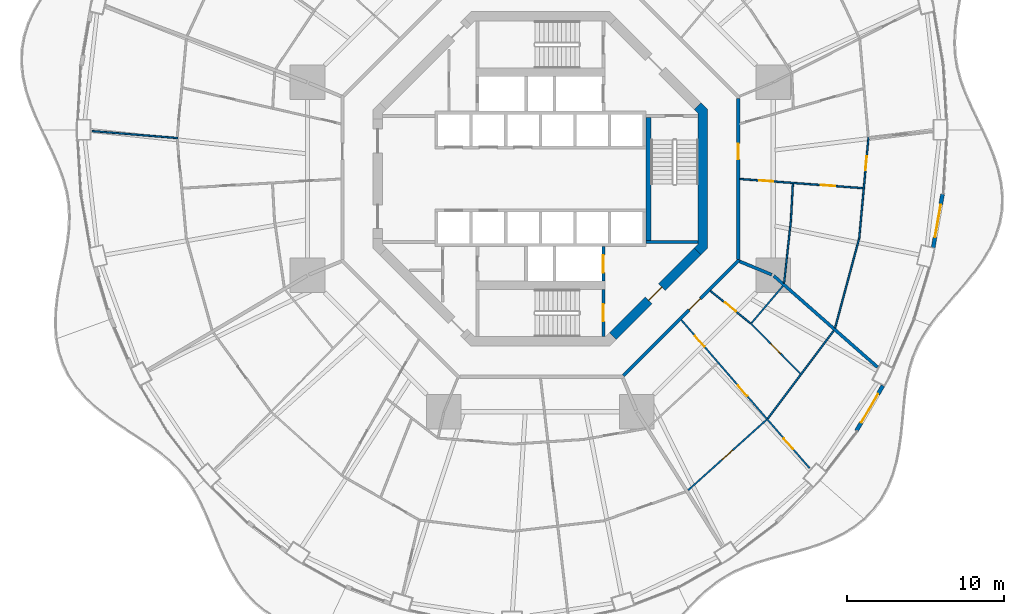
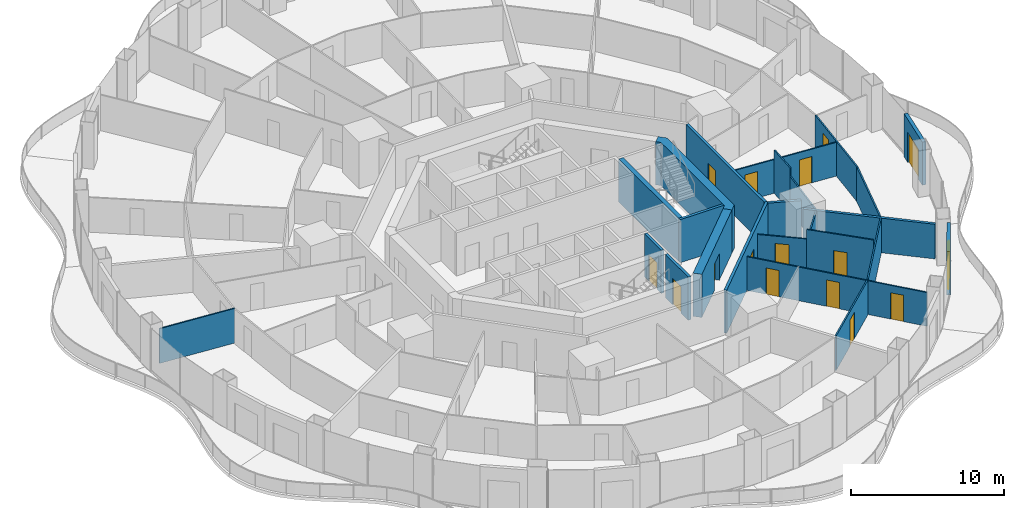
# One storey, part 16 of 22: 24 walls, 16 doors, 16 openings.
"""IFC4 building model written with IfcOpenShell, lengths in metres."""

from ifc_helpers import new_model, si_unit, direction, frame, frame_2d, origin, place, context, subcontext, project, spatial, polyline, rectangle, outline, extrude, material, layer, layer_set, type_object, element, fill, save


model = new_model("IFC4")

# Units and contexts
model_context = context("Model", 3, precision=1e-05, world=origin(), true_north=direction((0.0, 1.0)))
body_context = subcontext(model_context, "Body", "Model", "MODEL_VIEW")
ifc_project = project(units=[si_unit("LENGTHUNIT", "METRE"), si_unit("AREAUNIT", "SQUARE_METRE"), si_unit("VOLUMEUNIT", "CUBIC_METRE"), si_unit("PLANEANGLEUNIT", "RADIAN"), si_unit("MASSUNIT", "GRAM", prefix="KILO")], contexts=[model_context])

# Site, building, storey
site_placement = place(None, origin())
site = spatial("IfcSite", under=ifc_project, at=site_placement, CompositionType="ELEMENT")
building_placement = place(site_placement, origin())
building = spatial("IfcBuilding", under=site, at=building_placement, Name="Nagisa Residences", CompositionType="ELEMENT")
storey_placement = place(building_placement, frame((0.0, 0.0, 84.39990234375)))
storey = spatial("IfcBuildingStorey", under=building, at=storey_placement, Name="L20", CompositionType="ELEMENT", Elevation=84.39990234375)

# Walls
ifc_material_1 = material(Name="Gypsum board on steel studs", Category="steel")
ifc_layer_1 = layer(ifc_material_1, 0.199951171875)
ifc_layer_set_1 = layer_set([ifc_layer_1], Name="Apartment compartment wall EI60 200")
wall_type_1 = type_object("IfcWallType", Name="Apartment compartment wall EI60 200", PredefinedType="PARTITIONING", material=ifc_layer_set_1)
wall_1_placement = place(storey_placement, frame((12.6572265625, -5.24267578125, 0.0), z_axis=(0.0, 0.0, 1.0), x_axis=(0.923876145736, -0.382691608661, 0.0)))
element("IfcWall", 1, at=wall_1_placement, inside=storey, type_object=wall_type_1, Name="wall:L20:u08", PredefinedType="PARTITIONING", context=body_context, shape_type="SweptSolid", body=[
    extrude(rectangle(XDim=2.19970703125, YDim=0.199951171875, at=frame_2d((1.099853515625, 0.0))), origin(), (0.0, 0.0, 1.0), 3.440185546875),
])
wall_2_placement = place(storey_placement, frame((14.819580078125, -6.156005859375, 0.0), z_axis=(0.0, 0.0, 1.0), x_axis=(0.750582231659, -0.660777052808, 0.0)))
element("IfcWall", 2, at=wall_2_placement, inside=storey, type_object=wall_type_1, Name="wall:L20:u09", PredefinedType="PARTITIONING", context=body_context, shape_type="SweptSolid", body=[
    extrude(rectangle(XDim=8.781005859375, YDim=0.199951171875, at=frame_2d((4.390625, 0.0))), origin(), (0.0, 0.0, 1.0), 2.76220703125),
])

# Wall, opening, door
ifc_material_2 = material(Name="Gypsum board on steel studs", Category="steel")
ifc_layer_2 = layer(ifc_material_2, 0.199951171875)
ifc_layer_set_2 = layer_set([ifc_layer_2], Name="Apartment entry wall EI60 200")
wall_type_2 = type_object("IfcWallType", Name="Apartment entry wall EI60 200", PredefinedType="PARTITIONING", material=ifc_layer_set_2)
wall_3_placement = place(storey_placement, frame((12.564697265625, -5.1044921875, 0.0), z_axis=(0.0, 0.0, 1.0), x_axis=(0.0, 1.0, 0.0)))
wall_3 = element("IfcWall", 3, at=wall_3_placement, inside=storey, type_object=wall_type_2, Name="wall:L20:u10", PredefinedType="PARTITIONING", context=body_context, shape_type="SweptSolid", body=[
    extrude(rectangle(XDim=10.208984375, YDim=0.199951171875, at=frame_2d((5.1044921875, 0.0))), origin(), (0.0, 0.0, 1.0), 3.440185546875),
])
opening_1_placement = place(wall_3_placement, frame((6.33935546875, 0.0, 0.0)))
opening_1 = element("IfcOpeningElement", 4, at=opening_1_placement, cuts=wall_3, Name="Opening L20-U44", PredefinedType="OPENING", context=body_context, shape_type="SweptSolid", body=[
    extrude(rectangle(XDim=1.0, YDim=2.10009765625, at=frame_2d((0.5, 1.050048828125))), frame((0.0, 0.10986328125, 0.0), z_axis=(0.0, -1.0, 0.0), x_axis=(1.0, 0.0, 0.0)), (0.0, 0.0, 1.0), 0.219970703125),
])
ifc_material_3 = material(Name="Timber fire door set", Category="wood")
door_type_1 = type_object("IfcDoorType", Name="Apartment entry door FD30S 1000x2100", OperationType="NOTDEFINED", PredefinedType="DOOR", material=ifc_material_3)
door_1_placement = place(opening_1_placement, frame((1.0, 0.0, 0.0), x_axis=(-1.0, 0.0, 0.0)))
door_1 = element("IfcDoor", 5, at=door_1_placement, inside=storey, type_object=door_type_1, Name="Entry door, Apartment 20E", OperationType="SINGLE_SWING_LEFT", OverallHeight=2.10009765625, OverallWidth=1.0, PredefinedType="DOOR", context=body_context, shape_type="SweptSolid", body=[
    extrude(rectangle(XDim=1.0, YDim=2.10009765625, at=frame_2d((0.5, 1.050048828125))), frame((0.0, 0.02490234375, 0.0), z_axis=(0.0, -1.0, 0.0), x_axis=(1.0, 0.0, 0.0)), (0.0, 0.0, 1.0), 0.050048828125),
])
fill(opening_1, door_1)

wall_4_placement = place(storey_placement, frame((5.275146484375, -12.494140625, 0.0), z_axis=(0.0, 0.0, 1.0), x_axis=(0.707106781187, 0.707106781187, 0.0)))
wall_4 = element("IfcWall", 6, at=wall_4_placement, inside=storey, type_object=wall_type_2, Name="wall:L20:u17", PredefinedType="PARTITIONING", context=body_context, shape_type="SweptSolid", body=[
    extrude(rectangle(XDim=10.4091796875, YDim=0.199951171875, at=frame_2d((5.20458984375, 0.0))), origin(), (0.0, 0.0, 1.0), 3.440185546875),
])
opening_2_placement = place(wall_4_placement, frame((5.905517578125, 0.0, 0.0)))
opening_2 = element("IfcOpeningElement", 7, at=opening_2_placement, cuts=wall_4, Name="Opening L20-U37", PredefinedType="OPENING", context=body_context, shape_type="SweptSolid", body=[
    extrude(rectangle(XDim=1.0, YDim=2.10009765625, at=frame_2d((0.5, 1.050048828125))), frame((0.0, 0.10986328125, 0.0), z_axis=(0.0, -1.0, 0.0), x_axis=(1.0, 0.0, 0.0)), (0.0, 0.0, 1.0), 0.219970703125),
])
door_2_placement = place(opening_2_placement, frame((1.0, 0.0, 0.0), x_axis=(-1.0, 0.0, 0.0)))
door_2 = element("IfcDoor", 8, at=door_2_placement, inside=storey, type_object=door_type_1, Name="Entry door, Apartment 20D", OperationType="SINGLE_SWING_RIGHT", OverallHeight=2.10009765625, OverallWidth=1.0, PredefinedType="DOOR", context=body_context, shape_type="SweptSolid", body=[
    extrude(rectangle(XDim=1.0, YDim=2.10009765625, at=frame_2d((0.5, 1.050048828125))), frame((0.0, 0.02490234375, 0.0), z_axis=(0.0, -1.0, 0.0), x_axis=(1.0, 0.0, 0.0)), (0.0, 0.0, 1.0), 0.050048828125),
])
fill(opening_2, door_2)

ifc_material_4 = material(Name="Gypsum board on steel studs", Category="steel")
ifc_layer_3 = layer(ifc_material_4, 0.10009765625)
ifc_layer_set_3 = layer_set([ifc_layer_3], Name="Apartment partition 100")
wall_type_3 = type_object("IfcWallType", Name="Apartment partition 100", PredefinedType="PARTITIONING", material=ifc_layer_set_3)
wall_5_placement = place(storey_placement, frame((20.833984375, 2.64208984375, 0.0), z_axis=(0.0, 0.0, 1.0), x_axis=(-0.091385407685, -0.995815599025, 0.0)))
wall_5 = element("IfcWall", 9, at=wall_5_placement, inside=storey, type_object=wall_type_3, Name="wall:L20:u20", PredefinedType="PARTITIONING", context=body_context, shape_type="SweptSolid", body=[
    extrude(rectangle(XDim=6.50244140625, YDim=0.10009765625, at=frame_2d((3.251220703125, 0.0))), origin(), (0.0, 0.0, 1.0), 2.76220703125),
])
opening_3_placement = place(wall_5_placement, frame((1.20068359375, 0.0, 0.0)))
opening_3 = element("IfcOpeningElement", 10, at=opening_3_placement, cuts=wall_5, Name="Opening L20-U49", PredefinedType="OPENING", context=body_context, shape_type="SweptSolid", body=[
    extrude(rectangle(XDim=0.89990234375, YDim=2.10009765625, at=frame_2d((0.449951171875, 1.050048828125))), frame((0.0, 0.06005859375, 0.0), z_axis=(0.0, -1.0, 0.0), x_axis=(1.0, 0.0, 0.0)), (0.0, 0.0, 1.0), 0.1201171875),
])
ifc_material_5 = material(Name="Timber door set", Category="wood")
door_type_2 = type_object("IfcDoorType", Name="Apartment door 900x2100", OperationType="NOTDEFINED", PredefinedType="DOOR", material=ifc_material_5)
door_3_placement = place(opening_3_placement, origin())
door_3 = element("IfcDoor", 11, at=door_3_placement, inside=storey, type_object=door_type_2, Name="Door to family room, Apartment 20E", OperationType="SINGLE_SWING_LEFT", OverallHeight=2.10009765625, OverallWidth=0.89990234375, PredefinedType="DOOR", context=body_context, shape_type="SweptSolid", body=[
    extrude(rectangle(XDim=0.89990234375, YDim=2.10009765625, at=frame_2d((0.449951171875, 1.050048828125))), frame((0.0, 0.02490234375, 0.0), z_axis=(0.0, -1.0, 0.0), x_axis=(1.0, 0.0, 0.0)), (0.0, 0.0, 1.0), 0.050048828125),
])
fill(opening_3, door_3)

# Wall
wall_6_placement = place(storey_placement, frame((-23.01171875, 2.588134765625, 0.0), z_axis=(0.0, 0.0, 1.0), x_axis=(-0.996680765347, 0.081409164031, 0.0)))
element("IfcWall", 12, at=wall_6_placement, inside=storey, type_object=wall_type_3, Name="wall:L20:u59", PredefinedType="PARTITIONING", context=body_context, shape_type="SweptSolid", body=[
    extrude(rectangle(XDim=5.4580078125, YDim=0.10009765625, at=frame_2d((2.72900390625, 0.0))), origin(), (0.0, 0.0, 1.0), 2.76220703125),
])

# Wall, opening, door
wall_7_placement = place(storey_placement, frame((9.384033203125, -19.767578125, 0.0), z_axis=(0.0, 0.0, 1.0), x_axis=(0.74387407395, 0.668319805262, 0.0)))
wall_7 = element("IfcWall", 13, at=wall_7_placement, inside=storey, type_object=wall_type_3, Name="wall:L20:u84", PredefinedType="PARTITIONING", context=body_context, shape_type="SweptSolid", body=[
    extrude(rectangle(XDim=6.6953125, YDim=0.10009765625, at=frame_2d((3.34765625, 0.0))), origin(), (0.0, 0.0, 1.0), 2.76220703125),
])
opening_4_placement = place(wall_7_placement, frame((2.897705078125, 0.0, 0.0)))
opening_4 = element("IfcOpeningElement", 14, at=opening_4_placement, cuts=wall_7, Name="Opening L20-U42", PredefinedType="OPENING", context=body_context, shape_type="SweptSolid", body=[
    extrude(rectangle(XDim=0.89990234375, YDim=2.10009765625, at=frame_2d((0.449951171875, 1.050048828125))), frame((0.0, 0.06005859375, 0.0), z_axis=(0.0, -1.0, 0.0), x_axis=(1.0, 0.0, 0.0)), (0.0, 0.0, 1.0), 0.1201171875),
])
door_4_placement = place(opening_4_placement, frame((0.89990234375, 0.0, 0.0), x_axis=(-1.0, 0.0, 0.0)))
door_4 = element("IfcDoor", 15, at=door_4_placement, inside=storey, type_object=door_type_2, Name="Door to family room, Apartment 20D", OperationType="SINGLE_SWING_LEFT", OverallHeight=2.10009765625, OverallWidth=0.89990234375, PredefinedType="DOOR", context=body_context, shape_type="SweptSolid", body=[
    extrude(rectangle(XDim=0.89990234375, YDim=2.10009765625, at=frame_2d((0.449951171875, 1.050048828125))), frame((0.0, 0.02490234375, 0.0), z_axis=(0.0, -1.0, 0.0), x_axis=(1.0, 0.0, 0.0)), (0.0, 0.0, 1.0), 0.050048828125),
])
fill(opening_4, door_4)

# Wall, openings, doors
wall_8_placement = place(storey_placement, frame((8.949951171875, -8.960205078125, 0.0), z_axis=(0.0, 0.0, 1.0), x_axis=(0.65441081073, -0.756139200676, 0.0)))
wall_8 = element("IfcWall", 16, at=wall_8_placement, inside=storey, type_object=wall_type_3, Name="wall:L20:u85", PredefinedType="PARTITIONING", context=body_context, shape_type="SweptSolid", body=[
    extrude(rectangle(XDim=12.450927734375, YDim=0.10009765625, at=frame_2d((6.2255859375, 0.0))), origin(), (0.0, 0.0, 1.0), 2.68701171875),
])
opening_5_placement = place(wall_8_placement, frame((1.335693359375, 0.0, 0.0)))
opening_5 = element("IfcOpeningElement", 17, at=opening_5_placement, cuts=wall_8, Name="Opening L20-U38", PredefinedType="OPENING", context=body_context, shape_type="SweptSolid", body=[
    extrude(rectangle(XDim=0.89990234375, YDim=2.10009765625, at=frame_2d((0.449951171875, 1.050048828125))), frame((0.0, 0.06005859375, 0.0), z_axis=(0.0, -1.0, 0.0), x_axis=(1.0, 0.0, 0.0)), (0.0, 0.0, 1.0), 0.1201171875),
])
opening_6_placement = place(wall_8_placement, frame((5.501220703125, 0.0, 0.0)))
opening_6 = element("IfcOpeningElement", 18, at=opening_6_placement, cuts=wall_8, Name="Opening L20-U40", PredefinedType="OPENING", context=body_context, shape_type="SweptSolid", body=[
    extrude(rectangle(XDim=0.89990234375, YDim=2.10009765625, at=frame_2d((0.449951171875, 1.050048828125))), frame((0.0, 0.06005859375, 0.0), z_axis=(0.0, -1.0, 0.0), x_axis=(1.0, 0.0, 0.0)), (0.0, 0.0, 1.0), 0.1201171875),
])
opening_7_placement = place(wall_8_placement, frame((9.940673828125, 0.0, 0.0)))
opening_7 = element("IfcOpeningElement", 19, at=opening_7_placement, cuts=wall_8, Name="Opening L20-U43", PredefinedType="OPENING", context=body_context, shape_type="SweptSolid", body=[
    extrude(rectangle(XDim=0.89990234375, YDim=2.10009765625, at=frame_2d((0.449951171875, 1.050048828125))), frame((0.0, 0.06005859375, 0.0), z_axis=(0.0, -1.0, 0.0), x_axis=(1.0, 0.0, 0.0)), (0.0, 0.0, 1.0), 0.1201171875),
])
door_5_placement = place(opening_5_placement, frame((0.89990234375, 0.0, 0.0), x_axis=(-1.0, 0.0, 0.0)))
door_5 = element("IfcDoor", 20, at=door_5_placement, inside=storey, type_object=door_type_2, Name="Door to store, Apartment 20D", OperationType="SINGLE_SWING_LEFT", OverallHeight=2.10009765625, OverallWidth=0.89990234375, PredefinedType="DOOR", context=body_context, shape_type="SweptSolid", body=[
    extrude(rectangle(XDim=0.89990234375, YDim=2.10009765625, at=frame_2d((0.449951171875, 1.050048828125))), frame((0.0, 0.02490234375, 0.0), z_axis=(0.0, -1.0, 0.0), x_axis=(1.0, 0.0, 0.0)), (0.0, 0.0, 1.0), 0.050048828125),
])
fill(opening_5, door_5)
door_6_placement = place(opening_6_placement, frame((0.89990234375, 0.0, 0.0), x_axis=(-1.0, 0.0, 0.0)))
door_6 = element("IfcDoor", 21, at=door_6_placement, inside=storey, type_object=door_type_2, Name="Door to kitchen, Apartment 20D", OperationType="SINGLE_SWING_LEFT", OverallHeight=2.10009765625, OverallWidth=0.89990234375, PredefinedType="DOOR", context=body_context, shape_type="SweptSolid", body=[
    extrude(rectangle(XDim=0.89990234375, YDim=2.10009765625, at=frame_2d((0.449951171875, 1.050048828125))), frame((0.0, 0.02490234375, 0.0), z_axis=(0.0, -1.0, 0.0), x_axis=(1.0, 0.0, 0.0)), (0.0, 0.0, 1.0), 0.050048828125),
])
fill(opening_6, door_6)
door_7_placement = place(opening_7_placement, origin())
door_7 = element("IfcDoor", 22, at=door_7_placement, inside=storey, type_object=door_type_2, Name="Door to bedroom, Apartment 20D", OperationType="SINGLE_SWING_LEFT", OverallHeight=2.10009765625, OverallWidth=0.89990234375, PredefinedType="DOOR", context=body_context, shape_type="SweptSolid", body=[
    extrude(rectangle(XDim=0.89990234375, YDim=2.10009765625, at=frame_2d((0.449951171875, 1.050048828125))), frame((0.0, 0.02490234375, 0.0), z_axis=(0.0, -1.0, 0.0), x_axis=(1.0, 0.0, 0.0)), (0.0, 0.0, 1.0), 0.050048828125),
])
fill(opening_7, door_7)

# Wall
wall_9_placement = place(storey_placement, frame((14.431884765625, -15.219482421875, 0.0), z_axis=(0.0, 0.0, 1.0), x_axis=(0.601001256685, 0.799248077548, 0.0)))
element("IfcWall", 23, at=wall_9_placement, inside=storey, type_object=wall_type_3, Name="wall:L20:u86", PredefinedType="PARTITIONING", context=body_context, shape_type="SweptSolid", body=[
    extrude(rectangle(XDim=6.980224609375, YDim=0.10009765625, at=frame_2d((3.490234375, 0.0))), origin(), (0.0, 0.0, 1.0), 2.76220703125),
])

# Wall, opening, door
wall_10_placement = place(storey_placement, frame((10.802490234375, -7.107421875, 0.0), z_axis=(0.0, 0.0, 1.0), x_axis=(0.776992142502, -0.62951029419, 0.0)))
wall_10 = element("IfcWall", 24, at=wall_10_placement, inside=storey, type_object=wall_type_3, Name="wall:L20:u87", PredefinedType="PARTITIONING", context=body_context, shape_type="SweptSolid", body=[
    extrude(rectangle(XDim=3.2626953125, YDim=0.10009765625, at=frame_2d((1.63134765625, 0.0))), origin(), (0.0, 0.0, 1.0), 2.68701171875),
])
opening_8_placement = place(wall_10_placement, frame((1.181396484375, 0.0, 0.0)))
opening_8 = element("IfcOpeningElement", 25, at=opening_8_placement, cuts=wall_10, Name="Opening L20-U39", PredefinedType="OPENING", context=body_context, shape_type="SweptSolid", body=[
    extrude(rectangle(XDim=0.89990234375, YDim=2.10009765625, at=frame_2d((0.449951171875, 1.050048828125))), frame((0.0, 0.06005859375, 0.0), z_axis=(0.0, -1.0, 0.0), x_axis=(1.0, 0.0, 0.0)), (0.0, 0.0, 1.0), 0.1201171875),
])
door_8_placement = place(opening_8_placement, origin())
door_8 = element("IfcDoor", 26, at=door_8_placement, inside=storey, type_object=door_type_2, Name="Door to family bathroom, Apartment 20D", OperationType="SINGLE_SWING_LEFT", OverallHeight=2.10009765625, OverallWidth=0.89990234375, PredefinedType="DOOR", context=body_context, shape_type="SweptSolid", body=[
    extrude(rectangle(XDim=0.89990234375, YDim=2.10009765625, at=frame_2d((0.449951171875, 1.050048828125))), frame((0.0, 0.02490234375, 0.0), z_axis=(0.0, -1.0, 0.0), x_axis=(1.0, 0.0, 0.0)), (0.0, 0.0, 1.0), 0.050048828125),
])
fill(opening_8, door_8)

wall_11_placement = place(storey_placement, frame((13.34130859375, -9.1572265625, 0.0), z_axis=(0.0, 0.0, 1.0), x_axis=(0.701624526877, -0.712546856904, 0.0)))
wall_11 = element("IfcWall", 27, at=wall_11_placement, inside=storey, type_object=wall_type_3, Name="wall:L20:u88", PredefinedType="PARTITIONING", context=body_context, shape_type="SweptSolid", body=[
    extrude(rectangle(XDim=4.51513671875, YDim=0.10009765625, at=frame_2d((2.257568359375, 0.0))), origin(), (0.0, 0.0, 1.0), 3.440185546875),
])
opening_9_placement = place(wall_11_placement, frame((1.83251953125, 0.0, 0.0)))
opening_9 = element("IfcOpeningElement", 28, at=opening_9_placement, cuts=wall_11, Name="Opening L20-U41", PredefinedType="OPENING", context=body_context, shape_type="SweptSolid", body=[
    extrude(rectangle(XDim=0.89990234375, YDim=2.10009765625, at=frame_2d((0.449951171875, 1.050048828125))), frame((0.0, 0.06005859375, 0.0), z_axis=(0.0, -1.0, 0.0), x_axis=(1.0, 0.0, 0.0)), (0.0, 0.0, 1.0), 0.1201171875),
])
door_9_placement = place(opening_9_placement, origin())
door_9 = element("IfcDoor", 29, at=door_9_placement, inside=storey, type_object=door_type_2, Name="Door to family bathroom, Apartment 20D", OperationType="SINGLE_SWING_LEFT", OverallHeight=2.10009765625, OverallWidth=0.89990234375, PredefinedType="DOOR", context=body_context, shape_type="SweptSolid", body=[
    extrude(rectangle(XDim=0.89990234375, YDim=2.10009765625, at=frame_2d((0.449951171875, 1.050048828125))), frame((0.0, 0.02490234375, 0.0), z_axis=(0.0, -1.0, 0.0), x_axis=(1.0, 0.0, 0.0)), (0.0, 0.0, 1.0), 0.050048828125),
])
fill(opening_9, door_9)

# Walls
wall_12_placement = place(storey_placement, frame((13.40869140625, -9.154541015625, 0.0), z_axis=(0.0, 0.0, 1.0), x_axis=(0.646130325831, 0.763227097293, 0.0)))
element("IfcWall", 30, at=wall_12_placement, inside=storey, type_object=wall_type_3, Name="wall:L20:u89", PredefinedType="PARTITIONING", context=body_context, shape_type="SweptSolid", body=[
    extrude(rectangle(XDim=3.083740234375, YDim=0.10009765625, at=frame_2d((1.5419921875, 0.0))), origin(), (0.0, 0.0, 1.0), 2.76220703125),
])
wall_13_placement = place(storey_placement, frame((15.4765625, -6.62548828125, 0.0), z_axis=(0.0, 0.0, 1.0), x_axis=(0.107561928907, 0.994198386365, 0.0)))
element("IfcWall", 31, at=wall_13_placement, inside=storey, type_object=wall_type_3, Name="wall:L20:u90", PredefinedType="PARTITIONING", context=body_context, shape_type="SweptSolid", body=[
    extrude(rectangle(XDim=4.072021484375, YDim=0.10009765625, at=frame_2d((2.0361328125, 0.0))), origin(), (0.0, 0.0, 1.0), 2.76220703125),
])
wall_14_placement = place(storey_placement, frame((18.713134765625, -9.464111328125, 0.0), z_axis=(0.0, 0.0, 1.0), x_axis=(0.260279646259, 0.965533275316, 0.0)))
element("IfcWall", 32, at=wall_14_placement, inside=storey, type_object=wall_type_3, Name="wall:L20:u91", PredefinedType="PARTITIONING", context=body_context, shape_type="SweptSolid", body=[
    extrude(rectangle(XDim=5.83349609375, YDim=0.10009765625, at=frame_2d((2.916748046875, 0.0))), origin(), (0.0, 0.0, 1.0), 2.76220703125),
])
wall_15_placement = place(storey_placement, frame((15.911865234375, -2.5771484375, 0.0), z_axis=(0.0, 0.0, 1.0), x_axis=(0.053749298185, 0.998554461682, 0.0)))
element("IfcWall", 33, at=wall_15_placement, inside=storey, type_object=wall_type_3, Name="wall:L20:u92", PredefinedType="PARTITIONING", context=body_context, shape_type="SweptSolid", body=[
    extrude(rectangle(XDim=2.27099609375, YDim=0.10009765625, at=frame_2d((1.135498046875, 0.0))), origin(), (0.0, 0.0, 1.0), 3.440185546875),
])

# Wall, openings, doors
wall_16_placement = place(storey_placement, frame((12.66455078125, -0.007568359375, 0.0), z_axis=(0.0, 0.0, 1.0), x_axis=(0.997222647159, -0.074478130978, 0.0)))
wall_16 = element("IfcWall", 34, at=wall_16_placement, inside=storey, type_object=wall_type_3, Name="wall:L20:u93", PredefinedType="PARTITIONING", context=body_context, shape_type="SweptSolid", body=[
    extrude(rectangle(XDim=7.84423828125, YDim=0.10009765625, at=frame_2d((3.922119140625, 0.0))), origin(), (0.0, 0.0, 1.0), 2.68701171875),
])
opening_10_placement = place(wall_16_placement, frame((1.24072265625, 0.0, 0.0)))
opening_10 = element("IfcOpeningElement", 35, at=opening_10_placement, cuts=wall_16, Name="Opening L20-U45", PredefinedType="OPENING", context=body_context, shape_type="SweptSolid", body=[
    extrude(rectangle(XDim=0.89990234375, YDim=2.10009765625, at=frame_2d((0.449951171875, 1.050048828125))), frame((0.0, 0.06005859375, 0.0), z_axis=(0.0, -1.0, 0.0), x_axis=(1.0, 0.0, 0.0)), (0.0, 0.0, 1.0), 0.1201171875),
])
opening_11_placement = place(wall_16_placement, frame((5.162841796875, 0.0, 0.0)))
opening_11 = element("IfcOpeningElement", 36, at=opening_11_placement, cuts=wall_16, Name="Opening L20-U47", PredefinedType="OPENING", context=body_context, shape_type="SweptSolid", body=[
    extrude(rectangle(XDim=0.89990234375, YDim=2.10009765625, at=frame_2d((0.449951171875, 1.050048828125))), frame((0.0, 0.06005859375, 0.0), z_axis=(0.0, -1.0, 0.0), x_axis=(1.0, 0.0, 0.0)), (0.0, 0.0, 1.0), 0.1201171875),
])
door_10_placement = place(opening_10_placement, frame((0.89990234375, 0.0, 0.0), x_axis=(-1.0, 0.0, 0.0)))
door_10 = element("IfcDoor", 37, at=door_10_placement, inside=storey, type_object=door_type_2, Name="Door to store, Apartment 20E", OperationType="SINGLE_SWING_RIGHT", OverallHeight=2.10009765625, OverallWidth=0.89990234375, PredefinedType="DOOR", context=body_context, shape_type="SweptSolid", body=[
    extrude(rectangle(XDim=0.89990234375, YDim=2.10009765625, at=frame_2d((0.449951171875, 1.050048828125))), frame((0.0, 0.02490234375, 0.0), z_axis=(0.0, -1.0, 0.0), x_axis=(1.0, 0.0, 0.0)), (0.0, 0.0, 1.0), 0.050048828125),
])
fill(opening_10, door_10)
door_11_placement = place(opening_11_placement, frame((0.89990234375, 0.0, 0.0), x_axis=(-1.0, 0.0, 0.0)))
door_11 = element("IfcDoor", 38, at=door_11_placement, inside=storey, type_object=door_type_2, Name="Door to family room, Apartment 20E", OperationType="SINGLE_SWING_RIGHT", OverallHeight=2.10009765625, OverallWidth=0.89990234375, PredefinedType="DOOR", context=body_context, shape_type="SweptSolid", body=[
    extrude(rectangle(XDim=0.89990234375, YDim=2.10009765625, at=frame_2d((0.449951171875, 1.050048828125))), frame((0.0, 0.02490234375, 0.0), z_axis=(0.0, -1.0, 0.0), x_axis=(1.0, 0.0, 0.0)), (0.0, 0.0, 1.0), 0.050048828125),
])
fill(opening_11, door_11)

# Wall, opening, door
ifc_material_6 = material(Name="Precast concrete C40/50", Category="concrete")
ifc_layer_4 = layer(ifc_material_6, 0.25)
ifc_layer_set_4 = layer_set([ifc_layer_4], Name="BALCONY DOOR WALL 250")
wall_type_4 = type_object("IfcWallType", Name="BALCONY DOOR WALL 250", PredefinedType="SOLIDWALL", material=ifc_layer_set_4)
wall_17_placement = place(storey_placement, frame((21.74755859375, -13.136962890625, 0.0), z_axis=(0.0, 0.0, 1.0), x_axis=(-0.506297921217, -0.862358634775, 0.0)))
wall_17 = element("IfcWall", 39, at=wall_17_placement, inside=storey, type_object=wall_type_4, Name="wall:L20:bay43", PredefinedType="SOLIDWALL", context=body_context, shape_type="SweptSolid", body=[
    extrude(rectangle(XDim=3.32470703125, YDim=0.25, at=frame_2d((1.662353515625, 0.0))), origin(), (0.0, 0.0, 1.0), 3.440185546875),
])
opening_12_placement = place(wall_17_placement, frame((0.6123046875, 0.0, 0.0)))
opening_12 = element("IfcOpeningElement", 40, at=opening_12_placement, cuts=wall_17, Name="Opening BD-L20-15", PredefinedType="OPENING", context=body_context, shape_type="SweptSolid", body=[
    extrude(rectangle(XDim=2.10009765625, YDim=2.39990234375, at=frame_2d((1.050048828125, 1.199951171875))), frame((0.0, 0.135009765625, 0.0), z_axis=(0.0, -1.0, 0.0), x_axis=(1.0, 0.0, 0.0)), (0.0, 0.0, 1.0), 0.27001953125),
])
ifc_material_7 = material(Name="Aluminium and clear glass", Category="aluminium")
door_type_3 = type_object("IfcDoorType", Name="BALCONY SLIDING DOOR 2100x2400", OperationType="SLIDING_TO_LEFT", PredefinedType="DOOR", material=ifc_material_7)
door_12_placement = place(opening_12_placement, origin())
door_12 = element("IfcDoor", 41, at=door_12_placement, inside=storey, type_object=door_type_3, Name="door:L20:bay43", OperationType="SLIDING_TO_LEFT", OverallHeight=2.39990234375, OverallWidth=2.10009765625, PredefinedType="DOOR", context=body_context, shape_type="SweptSolid", body=[
    extrude(rectangle(XDim=2.10009765625, YDim=2.39990234375, at=frame_2d((1.050048828125, 1.199951171875))), frame((0.0, 0.02490234375, 0.0), z_axis=(0.0, -1.0, 0.0), x_axis=(1.0, 0.0, 0.0)), (0.0, 0.0, 1.0), 0.050048828125),
])
fill(opening_12, door_12)

wall_18_placement = place(storey_placement, frame((25.534912109375, -0.974365234375, 0.0), z_axis=(0.0, 0.0, 1.0), x_axis=(-0.172164316671, -0.985068245385, 0.0)))
wall_18 = element("IfcWall", 42, at=wall_18_placement, inside=storey, type_object=wall_type_4, Name="wall:L20:bay46", PredefinedType="SOLIDWALL", context=body_context, shape_type="SweptSolid", body=[
    extrude(rectangle(XDim=3.454345703125, YDim=0.25, at=frame_2d((1.72705078125, 0.0))), origin(), (0.0, 0.0, 1.0), 3.440185546875),
])
opening_13_placement = place(wall_18_placement, frame((0.67724609375, 0.0, 0.0)))
opening_13 = element("IfcOpeningElement", 43, at=opening_13_placement, cuts=wall_18, Name="Opening BD-L20-16", PredefinedType="OPENING", context=body_context, shape_type="SweptSolid", body=[
    extrude(rectangle(XDim=2.10009765625, YDim=2.39990234375, at=frame_2d((1.050048828125, 1.199951171875))), frame((0.0, 0.135009765625, 0.0), z_axis=(0.0, -1.0, 0.0), x_axis=(1.0, 0.0, 0.0)), (0.0, 0.0, 1.0), 0.27001953125),
])
door_13_placement = place(opening_13_placement, origin())
door_13 = element("IfcDoor", 44, at=door_13_placement, inside=storey, type_object=door_type_3, Name="door:L20:bay46", OperationType="SLIDING_TO_LEFT", OverallHeight=2.39990234375, OverallWidth=2.10009765625, PredefinedType="DOOR", context=body_context, shape_type="SweptSolid", body=[
    extrude(rectangle(XDim=2.10009765625, YDim=2.39990234375, at=frame_2d((1.050048828125, 1.199951171875))), frame((0.0, 0.02490234375, 0.0), z_axis=(0.0, -1.0, 0.0), x_axis=(1.0, 0.0, 0.0)), (0.0, 0.0, 1.0), 0.050048828125),
])
fill(opening_13, door_13)

ifc_material_8 = material(Name="Concrete C60", Category="concrete")
ifc_layer_5 = layer(ifc_material_8, 0.60009765625)
ifc_layer_set_5 = layer_set([ifc_layer_5], Name="Core shear wall 600")
wall_type_5 = type_object("IfcWallType", Name="Core shear wall 600", PredefinedType="SHEAR", material=ifc_layer_set_5)
wall_19_placement = place(storey_placement, frame((4.613037109375, -9.98828125, 0.0), z_axis=(0.0, 0.0, 1.0), x_axis=(0.707106781187, 0.707106781187, 0.0)))
wall_19 = element("IfcWall", 45, at=wall_19_placement, inside=storey, type_object=wall_type_5, Name="wall:L20:core:flat7", PredefinedType="SHEAR", context=body_context, shape_type="SweptSolid", body=[
    extrude(rectangle(XDim=7.601806640625, YDim=0.60009765625, at=frame_2d((3.80078125, 0.0))), origin(), (0.0, 0.0, 1.0), 3.440185546875),
])
opening_14_placement = place(wall_19_placement, frame((3.200927734375, 0.0, 0.0)))
opening_14 = element("IfcOpeningElement", 46, at=opening_14_placement, cuts=wall_19, Name="Opening L20-C17", PredefinedType="OPENING", context=body_context, shape_type="SweptSolid", body=[
    extrude(rectangle(XDim=1.199951171875, YDim=2.10009765625, at=frame_2d((0.60009765625, 1.050048828125))), frame((0.0, 0.31005859375, 0.0), z_axis=(0.0, -1.0, 0.0), x_axis=(1.0, 0.0, 0.0)), (0.0, 0.0, 1.0), 0.6201171875),
])
ifc_material_9 = material(Name="Steel fire door", Category="steel")
door_type_4 = type_object("IfcDoorType", Name="Fire door EI60 1200x2100 single swing", OperationType="NOTDEFINED", PredefinedType="DOOR", material=ifc_material_9)
door_14_placement = place(opening_14_placement, origin())
door_14 = element("IfcDoor", 47, at=door_14_placement, inside=storey, type_object=door_type_4, Name="Firefighting lobby 2 door L20", OperationType="SINGLE_SWING_LEFT", OverallHeight=2.10009765625, OverallWidth=1.199951171875, PredefinedType="DOOR", context=body_context, shape_type="SweptSolid", body=[
    extrude(rectangle(XDim=1.199951171875, YDim=2.10009765625, at=frame_2d((0.60009765625, 1.050048828125))), frame((0.0, 0.02490234375, 0.0), z_axis=(0.0, -1.0, 0.0), x_axis=(1.0, 0.0, 0.0)), (0.0, 0.0, 1.0), 0.050048828125),
])
fill(opening_14, door_14)

# Wall
wall_20_placement = place(storey_placement, origin())
element("IfcWall", 48, at=wall_20_placement, inside=storey, type_object=wall_type_5, Name="wall:L20:core:flat0", PredefinedType="SHEAR", context=body_context, shape_type="SweptSolid", body=[
    extrude(outline(polyline([(9.776123046875, -4.40087890625), (10.024658203125, -4.15234375), (10.024658203125, -3.801025390625), (10.024658203125, 4.15234375), (9.776123046875, 4.40087890625), (10.200439453125, 4.8251953125), (10.62451171875, 4.40087890625), (10.62451171875, -4.40087890625), (10.200439453125, -4.8251953125), (9.776123046875, -4.40087890625)])), origin(), (0.0, 0.0, 1.0), 3.440185546875),
])

# Wall, opening, door
ifc_material_10 = material(Name="Concrete C60", Category="concrete")
ifc_layer_6 = layer(ifc_material_10, 0.199951171875)
ifc_layer_set_6 = layer_set([ifc_layer_6], Name="Lift shaft wall 200")
wall_type_6 = type_object("IfcWallType", Name="Lift shaft wall 200", PredefinedType="SOLIDWALL", material=ifc_layer_set_6)
wall_21_placement = place(storey_placement, frame((4.0, -6.5, 0.0), z_axis=(0.0, 0.0, 1.0), x_axis=(0.0, 1.0, 0.0)))
wall_21 = element("IfcWall", 49, at=wall_21_placement, inside=storey, type_object=wall_type_6, Name="wall:L20:Sb3", PredefinedType="SOLIDWALL", context=body_context, shape_type="SweptSolid", body=[
    extrude(rectangle(XDim=2.199951171875, YDim=0.199951171875, at=frame_2d((1.10009765625, 0.0))), origin(), (0.0, 0.0, 1.0), 3.440185546875),
])
opening_15_placement = place(wall_21_placement, frame((0.550048828125, 0.0, 0.0)))
opening_15 = element("IfcOpeningElement", 50, at=opening_15_placement, cuts=wall_21, Name="Opening L20-C07", PredefinedType="OPENING", context=body_context, shape_type="SweptSolid", body=[
    extrude(rectangle(XDim=1.10009765625, YDim=2.10009765625, at=frame_2d((0.550048828125, 1.050048828125))), frame((0.0, 0.10986328125, 0.0), z_axis=(0.0, -1.0, 0.0), x_axis=(1.0, 0.0, 0.0)), (0.0, 0.0, 1.0), 0.219970703125),
])
ifc_material_11 = material(Name="Stainless steel", Category="steel")
door_type_5 = type_object("IfcDoorType", Name="Lift landing door 1100x2100", OperationType="DOUBLE_DOOR_SLIDING", PredefinedType="DOOR", material=ifc_material_11)
door_15_placement = place(opening_15_placement, origin())
door_15 = element("IfcDoor", 51, at=door_15_placement, inside=storey, type_object=door_type_5, Name="Landing door FL2 L20", OperationType="DOUBLE_DOOR_SLIDING", OverallHeight=2.10009765625, OverallWidth=1.10009765625, PredefinedType="DOOR", context=body_context, shape_type="SweptSolid", body=[
    extrude(rectangle(XDim=1.10009765625, YDim=2.10009765625, at=frame_2d((0.550048828125, 1.050048828125))), frame((0.0, 0.02490234375, 0.0), z_axis=(0.0, -1.0, 0.0), x_axis=(1.0, 0.0, 0.0)), (0.0, 0.0, 1.0), 0.050048828125),
])
fill(opening_15, door_15)

ifc_material_12 = material(Name="Concrete C60", Category="concrete")
ifc_layer_7 = layer(ifc_material_12, 0.199951171875)
ifc_layer_set_7 = layer_set([ifc_layer_7], Name="Stair enclosure wall 200")
wall_type_7 = type_object("IfcWallType", Name="Stair enclosure wall 200", PredefinedType="SOLIDWALL", material=ifc_layer_set_7)
wall_22_placement = place(storey_placement, frame((4.0, -10.024658203125, 0.0), z_axis=(0.0, 0.0, 1.0), x_axis=(0.0, 1.0, 0.0)))
wall_22 = element("IfcWall", 52, at=wall_22_placement, inside=storey, type_object=wall_type_7, Name="wall:L20:SS_e", PredefinedType="SOLIDWALL", context=body_context, shape_type="SweptSolid", body=[
    extrude(rectangle(XDim=3.0, YDim=0.199951171875, at=frame_2d((1.5, 0.0))), origin(), (0.0, 0.0, 1.0), 3.440185546875),
])
opening_16_placement = place(wall_22_placement, frame((0.974609375, 0.0, 0.0)))
opening_16 = element("IfcOpeningElement", 53, at=opening_16_placement, cuts=wall_22, Name="Opening L20-C11", PredefinedType="OPENING", context=body_context, shape_type="SweptSolid", body=[
    extrude(rectangle(XDim=1.10009765625, YDim=2.10009765625, at=frame_2d((0.550048828125, 1.050048828125))), frame((0.0, 0.10986328125, 0.0), z_axis=(0.0, -1.0, 0.0), x_axis=(1.0, 0.0, 0.0)), (0.0, 0.0, 1.0), 0.219970703125),
])
ifc_material_13 = material(Name="Steel fire door", Category="steel")
door_type_6 = type_object("IfcDoorType", Name="Fire door EI90 1100x2100 single swing", OperationType="NOTDEFINED", PredefinedType="DOOR", material=ifc_material_13)
door_16_placement = place(opening_16_placement, origin())
door_16 = element("IfcDoor", 54, at=door_16_placement, inside=storey, type_object=door_type_6, Name="Stair door ST-S L20", OperationType="SINGLE_SWING_LEFT", OverallHeight=2.10009765625, OverallWidth=1.10009765625, PredefinedType="DOOR", context=body_context, shape_type="SweptSolid", body=[
    extrude(rectangle(XDim=1.10009765625, YDim=2.10009765625, at=frame_2d((0.550048828125, 1.050048828125))), frame((0.0, 0.02490234375, 0.0), z_axis=(0.0, -1.0, 0.0), x_axis=(1.0, 0.0, 0.0)), (0.0, 0.0, 1.0), 0.050048828125),
])
fill(opening_16, door_16)

# Walls
wall_23_placement = place(storey_placement, origin())
element("IfcWall", 55, at=wall_23_placement, inside=storey, type_object=wall_type_7, Name="wall:L20:SE_w", PredefinedType="SOLIDWALL", context=body_context, shape_type="SweptSolid", body=[
    extrude(outline(polyline([(7.024658203125, -3.89990234375), (6.699951171875, -3.89990234375), (6.699951171875, 3.89990234375), (7.024658203125, 3.89990234375), (7.024658203125, -3.89990234375)])), origin(), (0.0, 0.0, 1.0), 3.440185546875),
])
wall_24_placement = place(storey_placement, origin())
element("IfcWall", 56, at=wall_24_placement, inside=storey, type_object=wall_type_7, Name="wall:L20:SE_s", PredefinedType="SOLIDWALL", context=body_context, shape_type="SweptSolid", body=[
    extrude(outline(polyline([(10.024658203125, -4.10009765625), (6.699951171875, -4.10009765625), (6.699951171875, -3.89990234375), (10.024658203125, -3.89990234375), (10.024658203125, -4.10009765625)])), origin(), (0.0, 0.0, 1.0), 3.440185546875),
])

save(model, "model.ifc")
